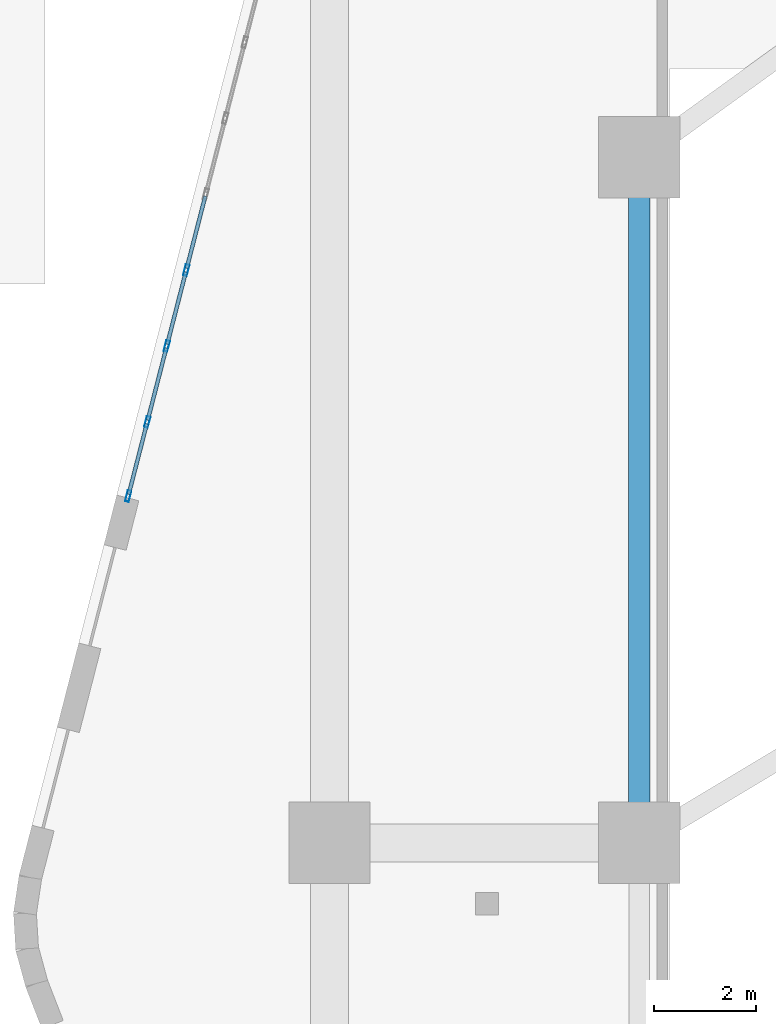
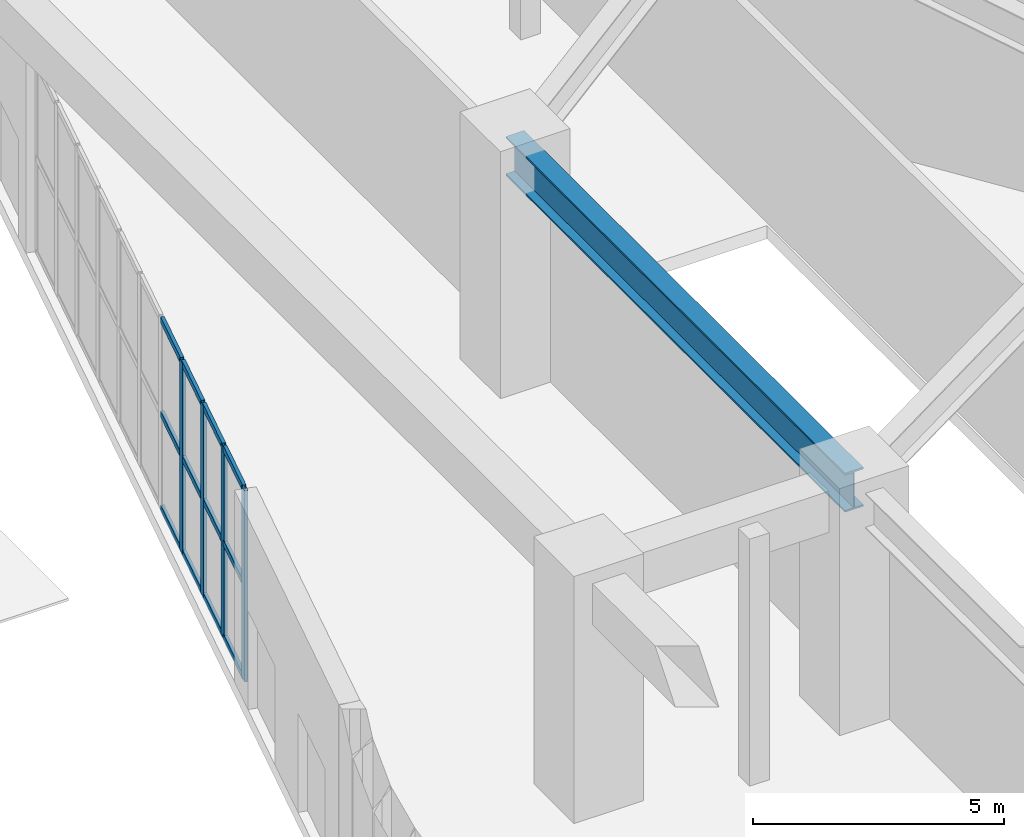
# One storey, part 13 of 35: 16 members, 1 beam, 1 element without a shape of its own.
"""IFC4 building model written with IfcOpenShell, lengths in metres."""

import ifcopenshell
import ifcopenshell.guid

model = None  # the IFC model being written
_history = None  # IfcOwnerHistory: only IFC2X3 demands one
_inside = {}  # id of a spatial element -> (the spatial element, [elements in it])
_under = {}  # id of a project, library or spatial element -> (it, [spatial elements below it])
_declared = {}  # id of a project -> (the project, [libraries it declares])
_typed = {}  # id of a type object -> (the type object, [elements of that type])
_made_of = {}  # id of a material, layer set ... -> (it, [elements and type objects made of it])


def new_model(schema):
    """Start an empty IFC model of exactly this schema.

    Asked for "IFC4X3", IfcOpenShell would pick the latest addendum, in which some entities
    have other attributes; the version numbers below select the first issue.
    IFC2X3 requires an IfcOwnerHistory on every rooted entity: one is made here for all.
    """
    global model, _history
    if schema == "IFC4X3":
        model = ifcopenshell.file(schema_version=(4, 3, 0, 0))
    else:
        model = ifcopenshell.file(schema=schema)
    _inside.clear()
    _under.clear()
    _declared.clear()
    _typed.clear()
    _made_of.clear()
    _history = None
    if model.schema == "IFC2X3":
        org = make("IfcOrganization", Name="unknown")
        user = make(
            "IfcPersonAndOrganization",
            ThePerson=make("IfcPerson", FamilyName="unknown"),
            TheOrganization=org,
        )
        app = make(
            "IfcApplication",
            ApplicationDeveloper=org,
            Version="unknown",
            ApplicationFullName="unknown",
            ApplicationIdentifier="unknown",
        )
        _history = make(
            "IfcOwnerHistory",
            OwningUser=user,
            OwningApplication=app,
            ChangeAction="ADDED",
            CreationDate=0,
        )
    return model


def make(cls, **values):
    """One entity of the class cls with the attributes given. An attribute that is None is left unset."""
    return model.create_entity(
        cls, **{name: value for name, value in values.items() if value is not None}
    )


def rooted(cls, **values):
    """An entity with a GlobalId (a new one), such as an element, a storey or a relation."""
    return make(cls, GlobalId=ifcopenshell.guid.new(), OwnerHistory=_history, **values)


def si_unit(unit_type, name, prefix=None):
    """IfcSIUnit, for example si_unit("LENGTHUNIT", "METRE", prefix="MILLI")."""
    return make("IfcSIUnit", UnitType=unit_type, Prefix=prefix, Name=name)


def assignment(units):
    """IfcUnitAssignment: the units of a project."""
    return None if units is None else make("IfcUnitAssignment", Units=units)


def point(xyz):
    """IfcCartesianPoint."""
    return None if xyz is None else make("IfcCartesianPoint", Coordinates=xyz)


def direction(xyz):
    """IfcDirection."""
    return None if xyz is None else make("IfcDirection", DirectionRatios=xyz)


def frame(location, z_axis=None, x_axis=None):
    """IfcAxis2Placement3D, a coordinate frame: its origin and axes. An axis left out is left unset."""
    return make(
        "IfcAxis2Placement3D",
        Location=point(location),
        Axis=direction(z_axis),
        RefDirection=direction(x_axis),
    )


def frame_2d(location, x_axis=None):
    """IfcAxis2Placement2D, a coordinate frame in the plane: its origin and x axis."""
    return make(
        "IfcAxis2Placement2D", Location=point(location), RefDirection=direction(x_axis)
    )


def origin():
    """The frame at (0, 0, 0) with its axes left unset."""
    return frame((0.0, 0.0, 0.0))


def origin_2d():
    """The frame at (0, 0) in the plane with its x axis left unset."""
    return frame_2d((0.0, 0.0))


def place(relative_to, where):
    """IfcLocalPlacement: puts the frame where relative to a parent placement (None: the world)."""
    return make(
        "IfcLocalPlacement", PlacementRelTo=relative_to, RelativePlacement=where
    )


def context(
    kind, dimensions, precision=None, world=None, true_north=None, identifier=None
):
    """IfcGeometricRepresentationContext, for example the 3D "Model" context."""
    return make(
        "IfcGeometricRepresentationContext",
        ContextIdentifier=identifier,
        ContextType=kind,
        CoordinateSpaceDimension=dimensions,
        Precision=precision,
        WorldCoordinateSystem=world,
        TrueNorth=true_north,
    )


def subcontext(parent, identifier, kind, view, scale=None):
    """IfcGeometricRepresentationSubContext, for example "Body" below "Model"."""
    return make(
        "IfcGeometricRepresentationSubContext",
        ContextIdentifier=identifier,
        ContextType=kind,
        ParentContext=parent,
        TargetScale=scale,
        TargetView=view,
    )


def project(units=None, contexts=None):
    """IfcProject with its units and contexts."""
    return rooted(
        "IfcProject",
        Name="project",
        RepresentationContexts=contexts,
        UnitsInContext=assignment(units),
    )


def spatial(cls, under=None, at=None, **own):
    """A site, building, storey or space (cls), placed at a placement, below another one or the project."""
    s = rooted(cls, ObjectPlacement=at, **own)
    if under is not None:
        _under.setdefault(under.id(), (under, []))[1].append(s)
    return s


def profile(cls, at=None, kind="AREA", **sizes):
    """A parametric profile (cls). Its sizes go by their IFC names, for example OverallWidth=200.0."""
    return make(cls, ProfileType=kind, Position=at, **sizes)


def hollow_rectangle(**sizes):
    """IfcRectangleHollowProfileDef."""
    return profile("IfcRectangleHollowProfileDef", **sizes)


def i_section(**sizes):
    """IfcIShapeProfileDef."""
    return profile("IfcIShapeProfileDef", **sizes)


def extrude(swept, where, along, depth):
    """IfcExtrudedAreaSolid: the profile swept, set in the frame where, extruded along a direction by depth."""
    return make(
        "IfcExtrudedAreaSolid",
        SweptArea=swept,
        Position=where,
        ExtrudedDirection=direction(along),
        Depth=depth,
    )


def shape(context_of_items, identifier, shape_type, items):
    """IfcShapeRepresentation: the items that make up one representation, for example the "Body"."""
    return make(
        "IfcShapeRepresentation",
        ContextOfItems=context_of_items,
        RepresentationIdentifier=identifier,
        RepresentationType=shape_type,
        Items=items,
    )


def material(Name=None, Category=None):
    """IfcMaterial."""
    return make("IfcMaterial", Name=Name, Category=Category)


def layer(
    of_material, thickness, ventilated=None, Name=None, Category=None, Priority=None
):
    """IfcMaterialLayer: one layer of a wall or slab, of a material (None: an air gap)."""
    return make(
        "IfcMaterialLayer",
        Material=of_material,
        LayerThickness=thickness,
        IsVentilated=ventilated,
        Name=Name,
        Category=Category,
        Priority=Priority,
    )


def layer_set(layers, Name=None):
    """IfcMaterialLayerSet."""
    return make("IfcMaterialLayerSet", MaterialLayers=layers, LayerSetName=Name)


def material_profile(
    of_material, cross_section, Name=None, Category=None, Priority=None
):
    """IfcMaterialProfile: a cross section and its material."""
    return make(
        "IfcMaterialProfile",
        Name=Name,
        Material=of_material,
        Profile=cross_section,
        Priority=Priority,
        Category=Category,
    )


def profile_set(profiles, Name=None, composite=None):
    """IfcMaterialProfileSet."""
    return make(
        "IfcMaterialProfileSet",
        Name=Name,
        MaterialProfiles=profiles,
        CompositeProfile=composite,
    )


def made_of(thing, what):
    """Note that an element or type object is made of a material, layer set ...; save() writes the relation."""
    if what is not None:
        _made_of.setdefault(what.id(), (what, []))[1].append(thing)
    return thing


def type_object(cls, material=None, **own):
    """A type object (cls), such as IfcWallType, which elements share."""
    return made_of(rooted(cls, **own), material)


def element(
    cls,
    number,
    at=None,
    inside=None,
    cuts=None,
    type_object=None,
    material=None,
    context=None,
    identifier="Body",
    shape_type=None,
    held_by="IfcProductDefinitionShape",
    body=None,
    shapes=None,
    **own,
):
    """One element of the class cls, such as IfcWall. Its Tag is "e" and its number.

    at: its placement. inside: the storey or other place that contains it. cuts: it is an
    opening in that element (IfcRelVoidsElement). A single representation is given by context,
    identifier, shape_type and body (its items); several are given by shapes. held_by: the class
    of the entity that holds the representations. save() writes the other relations.
    """
    e = rooted(cls, Tag="e%d" % number, ObjectPlacement=at, **own)
    if body is not None:
        shapes = [shape(context, identifier, shape_type, body)]
    if shapes is not None:
        e.Representation = make(held_by, Representations=shapes)
    if inside is not None:
        _inside.setdefault(inside.id(), (inside, []))[1].append(e)
    if cuts is not None:
        rooted(
            "IfcRelVoidsElement", RelatingBuildingElement=cuts, RelatedOpeningElement=e
        )
    if type_object is not None:
        _typed.setdefault(type_object.id(), (type_object, []))[1].append(e)
    return made_of(e, material)


def aggregate(whole, parts):
    """IfcRelAggregates: a whole, such as a stair, and the parts it consists of."""
    return rooted("IfcRelAggregates", RelatingObject=whole, RelatedObjects=parts)


def save(model, path):
    """Write the relations noted so far, then the file.

    IfcRelAggregates (storeys below a building ...), IfcRelContainedInSpatialStructure (elements
    in a storey), IfcRelDefinesByType, IfcRelAssociatesMaterial and IfcRelDeclares: one each for
    every whole, place, type object, material and project.
    """
    for whole, parts in _under.values():
        aggregate(whole, parts)
    for where, things in _inside.values():
        rooted(
            "IfcRelContainedInSpatialStructure",
            RelatedElements=things,
            RelatingStructure=where,
        )
    for kind, things in _typed.values():
        rooted("IfcRelDefinesByType", RelatedObjects=things, RelatingType=kind)
    for what, things in _made_of.values():
        rooted("IfcRelAssociatesMaterial", RelatedObjects=things, RelatingMaterial=what)
    for by, libraries in _declared.values():
        rooted("IfcRelDeclares", RelatingContext=by, RelatedDefinitions=libraries)
    model.write(path)


model = new_model("IFC4")

# Units and contexts
model_context = context("Model", 3, precision=1e-05, world=origin(), true_north=direction((0.0, 1.0)))
body_context = subcontext(model_context, "Body", "Model", "MODEL_VIEW")
ifc_project = project(units=[si_unit("LENGTHUNIT", "METRE"), si_unit("AREAUNIT", "SQUARE_METRE"), si_unit("VOLUMEUNIT", "CUBIC_METRE"), si_unit("PLANEANGLEUNIT", "RADIAN"), si_unit("MASSUNIT", "GRAM", prefix="KILO")], contexts=[model_context])

# Site, building, storey
site_placement = place(None, origin())
site = spatial("IfcSite", under=ifc_project, at=site_placement, CompositionType="ELEMENT")
building_placement = place(site_placement, origin())
building = spatial("IfcBuilding", under=site, at=building_placement, Name="Kilnhurst Terrace Hotel", CompositionType="ELEMENT")
storey_placement = place(building_placement, origin())
storey = spatial("IfcBuildingStorey", under=building, at=storey_placement, Name="L00", CompositionType="ELEMENT", Elevation=0.0)

# Beam
ifc_material_1 = material(Name="Steel ASTM A992 Grade 50", Category="steel")
ifc_material_profile_1 = material_profile(ifc_material_1, i_section(OverallWidth=0.423095703125, OverallDepth=0.9482421875, WebThickness=0.02392578125, FlangeThickness=0.042724609375, at=origin_2d()), Name="W36X302")
ifc_profile_set_1 = profile_set([ifc_material_profile_1], Name="Steel ASTM A992 Grade 50")
beam_type = type_object("IfcBeamType", Name="BM-STL-W36X302", PredefinedType="BEAM", material=ifc_profile_set_1)
beam_placement = place(storey_placement, frame((-21.5, 0.0, 5.2060546875), z_axis=(0.0, 1.0, 0.0), x_axis=(-1.0, 0.0, 0.0)))
element("IfcBeam", 1, at=beam_placement, inside=storey, type_object=beam_type, Name="L00 Podium Frame Beam 2", PredefinedType="BEAM", context=body_context, shape_type="SweptSolid", body=[
    extrude(i_section(OverallWidth=0.423095703125, OverallDepth=0.9482421875, WebThickness=0.02392578125, FlangeThickness=0.042724609375, at=origin_2d()), origin(), (0.0, 0.0, 1.0), 13.5),
])

# Curtain wall, members
ifc_material_2 = material(Name="Anodized Aluminium Alloy 6063-T6 and Low-E Glass", Category="aluminium")
ifc_layer = layer(ifc_material_2, 0.219970703125, Name="Anodized Aluminium Alloy 6063-T6 and Low-E Glass")
ifc_layer_set = layer_set([ifc_layer], Name="Anodized Aluminium Alloy 6063-T6 and Low-E Glass")
curtain_wall_type = type_object("IfcCurtainWallType", Name="CW-POD-LOBBY", PredefinedType="NOTDEFINED", material=ifc_layer_set)
curtain_wall_placement = place(storey_placement, origin())
curtain_wall = element("IfcCurtainWall", 2, at=curtain_wall_placement, inside=storey, type_object=curtain_wall_type, Name="L00 Curtain Wall CW-L00-F5-1", PredefinedType="NOTDEFINED")
ifc_material_3 = material(Name="Extruded Aluminium Alloy 6063-T6", Category="aluminium")
ifc_material_profile_2 = material_profile(ifc_material_3, hollow_rectangle(XDim=0.074951171875, YDim=0.219970703125, WallThickness=0.00390625, at=origin_2d()), Name="CWM75X220")
ifc_profile_set_2 = profile_set([ifc_material_profile_2], Name="Extruded Aluminium Alloy 6063-T6")
member_type_1 = type_object("IfcMemberType", Name="MEM-CWM75X220", PredefinedType="MULLION", material=ifc_profile_set_2)
member_1_placement = place(storey_placement, frame((-30.420166015625, 11.275146484375, 0.0), z_axis=(0.0, 0.0, 1.0), x_axis=(0.968570392874, -0.248739610933, 0.0)))
member_1 = element("IfcMember", 3, at=member_1_placement, type_object=member_type_1, Name="CWL-1 mullion 8", PredefinedType="MULLION", context=body_context, shape_type="SweptSolid", body=[
    extrude(hollow_rectangle(XDim=0.074951171875, YDim=0.219970703125, WallThickness=0.00390625, at=origin_2d()), origin(), (0.0, 0.0, 1.0), 4.64990234375),
])
member_2_placement = place(storey_placement, frame((-30.80419921875, 9.7802734375, 0.0), z_axis=(0.0, 0.0, 1.0), x_axis=(0.968570392874, -0.248739610933, 0.0)))
member_2 = element("IfcMember", 4, at=member_2_placement, type_object=member_type_1, Name="CWL-1 mullion 9", PredefinedType="MULLION", context=body_context, shape_type="SweptSolid", body=[
    extrude(hollow_rectangle(XDim=0.074951171875, YDim=0.219970703125, WallThickness=0.00390625, at=origin_2d()), origin(), (0.0, 0.0, 1.0), 4.64990234375),
])
member_3_placement = place(storey_placement, frame((-31.18798828125, 8.28515625, 0.0), z_axis=(0.0, 0.0, 1.0), x_axis=(0.968570392874, -0.248739610933, 0.0)))
member_3 = element("IfcMember", 5, at=member_3_placement, type_object=member_type_1, Name="CWL-1 mullion 10", PredefinedType="MULLION", context=body_context, shape_type="SweptSolid", body=[
    extrude(hollow_rectangle(XDim=0.074951171875, YDim=0.219970703125, WallThickness=0.00390625, at=origin_2d()), origin(), (0.0, 0.0, 1.0), 4.64990234375),
])
member_4_placement = place(storey_placement, frame((-31.562744140625, 6.826416015625, 0.0), z_axis=(0.0, 0.0, 1.0), x_axis=(0.968570392874, -0.248739610933, 0.0)))
member_4 = element("IfcMember", 6, at=member_4_placement, type_object=member_type_1, Name="CWL-1 mullion 11", PredefinedType="MULLION", context=body_context, shape_type="SweptSolid", body=[
    extrude(hollow_rectangle(XDim=0.074951171875, YDim=0.219970703125, WallThickness=0.00390625, at=origin_2d()), origin(), (0.0, 0.0, 1.0), 4.64990234375),
])
ifc_material_profile_3 = material_profile(ifc_material_3, hollow_rectangle(XDim=0.074951171875, YDim=0.14990234375, WallThickness=0.00390625, at=origin_2d()), Name="CWT75X150")
ifc_profile_set_3 = profile_set([ifc_material_profile_3], Name="Extruded Aluminium Alloy 6063-T6")
member_type_2 = type_object("IfcMemberType", Name="MEM-CWT75X150", PredefinedType="USERDEFINED", material=ifc_profile_set_3)
member_5_placement = place(storey_placement, frame((-30.045654296875, 12.73388671875, 0.03759765625), z_axis=(-0.24871132416, -0.968577656791, 0.0), x_axis=(0.968577656791, -0.24871132416, 0.0)))
member_5 = element("IfcMember", 7, at=member_5_placement, type_object=member_type_2, Name="CWL-1 transom 7.1", ObjectType="TRANSOM", PredefinedType="USERDEFINED", context=body_context, shape_type="SweptSolid", body=[
    extrude(hollow_rectangle(XDim=0.074951171875, YDim=0.14990234375, WallThickness=0.00390625, at=origin_2d()), origin(), (0.0, 0.0, 1.0), 1.468505859375),
])
member_6_placement = place(storey_placement, frame((-30.045654296875, 12.73388671875, 2.324951171875), z_axis=(-0.24871132416, -0.968577656791, 0.0), x_axis=(0.968577656791, -0.24871132416, 0.0)))
member_6 = element("IfcMember", 8, at=member_6_placement, type_object=member_type_2, Name="CWL-1 transom 7.2", ObjectType="TRANSOM", PredefinedType="USERDEFINED", context=body_context, shape_type="SweptSolid", body=[
    extrude(hollow_rectangle(XDim=0.074951171875, YDim=0.14990234375, WallThickness=0.00390625, at=origin_2d()), origin(), (0.0, 0.0, 1.0), 1.468505859375),
])
member_7_placement = place(storey_placement, frame((-30.045654296875, 12.73388671875, 4.612548828125), z_axis=(-0.24871132416, -0.968577656791, 0.0), x_axis=(0.968577656791, -0.24871132416, 0.0)))
member_7 = element("IfcMember", 9, at=member_7_placement, type_object=member_type_2, Name="CWL-1 transom 7.3", ObjectType="TRANSOM", PredefinedType="USERDEFINED", context=body_context, shape_type="SweptSolid", body=[
    extrude(hollow_rectangle(XDim=0.074951171875, YDim=0.14990234375, WallThickness=0.00390625, at=origin_2d()), origin(), (0.0, 0.0, 1.0), 1.468505859375),
])
member_8_placement = place(storey_placement, frame((-30.429443359375, 11.23876953125, 0.03759765625), z_axis=(-0.248867281536, -0.968537596679, 0.0), x_axis=(0.968537596679, -0.248867281536, 0.0)))
member_8 = element("IfcMember", 10, at=member_8_placement, type_object=member_type_2, Name="CWL-1 transom 8.1", ObjectType="TRANSOM", PredefinedType="USERDEFINED", context=body_context, shape_type="SweptSolid", body=[
    extrude(hollow_rectangle(XDim=0.074951171875, YDim=0.14990234375, WallThickness=0.00390625, at=origin_2d()), origin(), (0.0, 0.0, 1.0), 1.468505859375),
])
member_9_placement = place(storey_placement, frame((-30.429443359375, 11.23876953125, 2.324951171875), z_axis=(-0.248867281536, -0.968537596679, 0.0), x_axis=(0.968537596679, -0.248867281536, 0.0)))
member_9 = element("IfcMember", 11, at=member_9_placement, type_object=member_type_2, Name="CWL-1 transom 8.2", ObjectType="TRANSOM", PredefinedType="USERDEFINED", context=body_context, shape_type="SweptSolid", body=[
    extrude(hollow_rectangle(XDim=0.074951171875, YDim=0.14990234375, WallThickness=0.00390625, at=origin_2d()), origin(), (0.0, 0.0, 1.0), 1.468505859375),
])
member_10_placement = place(storey_placement, frame((-30.429443359375, 11.23876953125, 4.612548828125), z_axis=(-0.248867281536, -0.968537596679, 0.0), x_axis=(0.968537596679, -0.248867281536, 0.0)))
member_10 = element("IfcMember", 12, at=member_10_placement, type_object=member_type_2, Name="CWL-1 transom 8.3", ObjectType="TRANSOM", PredefinedType="USERDEFINED", context=body_context, shape_type="SweptSolid", body=[
    extrude(hollow_rectangle(XDim=0.074951171875, YDim=0.14990234375, WallThickness=0.00390625, at=origin_2d()), origin(), (0.0, 0.0, 1.0), 1.468505859375),
])
member_11_placement = place(storey_placement, frame((-30.8134765625, 9.743896484375, 0.03759765625), z_axis=(-0.24871132416, -0.968577656791, 0.0), x_axis=(0.968577656791, -0.24871132416, 0.0)))
member_11 = element("IfcMember", 13, at=member_11_placement, type_object=member_type_2, Name="CWL-1 transom 9.1", ObjectType="TRANSOM", PredefinedType="USERDEFINED", context=body_context, shape_type="SweptSolid", body=[
    extrude(hollow_rectangle(XDim=0.074951171875, YDim=0.14990234375, WallThickness=0.00390625, at=origin_2d()), origin(), (0.0, 0.0, 1.0), 1.468505859375),
])
member_12_placement = place(storey_placement, frame((-30.8134765625, 9.743896484375, 2.324951171875), z_axis=(-0.24871132416, -0.968577656791, 0.0), x_axis=(0.968577656791, -0.24871132416, 0.0)))
member_12 = element("IfcMember", 14, at=member_12_placement, type_object=member_type_2, Name="CWL-1 transom 9.2", ObjectType="TRANSOM", PredefinedType="USERDEFINED", context=body_context, shape_type="SweptSolid", body=[
    extrude(hollow_rectangle(XDim=0.074951171875, YDim=0.14990234375, WallThickness=0.00390625, at=origin_2d()), origin(), (0.0, 0.0, 1.0), 1.468505859375),
])
member_13_placement = place(storey_placement, frame((-30.8134765625, 9.743896484375, 4.612548828125), z_axis=(-0.24871132416, -0.968577656791, 0.0), x_axis=(0.968577656791, -0.24871132416, 0.0)))
member_13 = element("IfcMember", 15, at=member_13_placement, type_object=member_type_2, Name="CWL-1 transom 9.3", ObjectType="TRANSOM", PredefinedType="USERDEFINED", context=body_context, shape_type="SweptSolid", body=[
    extrude(hollow_rectangle(XDim=0.074951171875, YDim=0.14990234375, WallThickness=0.00390625, at=origin_2d()), origin(), (0.0, 0.0, 1.0), 1.468505859375),
])
member_14_placement = place(storey_placement, frame((-31.197509765625, 8.248779296875, 0.03759765625), z_axis=(-0.248592907807, -0.968608056021, 0.0), x_axis=(0.968608056021, -0.248592907807, 0.0)))
member_14 = element("IfcMember", 16, at=member_14_placement, type_object=member_type_2, Name="CWL-1 transom 10.1", ObjectType="TRANSOM", PredefinedType="USERDEFINED", context=body_context, shape_type="SweptSolid", body=[
    extrude(hollow_rectangle(XDim=0.074951171875, YDim=0.14990234375, WallThickness=0.00390625, at=origin_2d()), origin(), (0.0, 0.0, 1.0), 1.430908203125),
])
member_15_placement = place(storey_placement, frame((-31.197509765625, 8.248779296875, 2.324951171875), z_axis=(-0.248592907807, -0.968608056021, 0.0), x_axis=(0.968608056021, -0.248592907807, 0.0)))
member_15 = element("IfcMember", 17, at=member_15_placement, type_object=member_type_2, Name="CWL-1 transom 10.2", ObjectType="TRANSOM", PredefinedType="USERDEFINED", context=body_context, shape_type="SweptSolid", body=[
    extrude(hollow_rectangle(XDim=0.074951171875, YDim=0.14990234375, WallThickness=0.00390625, at=origin_2d()), origin(), (0.0, 0.0, 1.0), 1.430908203125),
])
member_16_placement = place(storey_placement, frame((-31.197509765625, 8.248779296875, 4.612548828125), z_axis=(-0.248592907807, -0.968608056021, 0.0), x_axis=(0.968608056021, -0.248592907807, 0.0)))
member_16 = element("IfcMember", 18, at=member_16_placement, type_object=member_type_2, Name="CWL-1 transom 10.3", ObjectType="TRANSOM", PredefinedType="USERDEFINED", context=body_context, shape_type="SweptSolid", body=[
    extrude(hollow_rectangle(XDim=0.074951171875, YDim=0.14990234375, WallThickness=0.00390625, at=origin_2d()), origin(), (0.0, 0.0, 1.0), 1.430908203125),
])
aggregate(curtain_wall, [member_1, member_2, member_3, member_4, member_5, member_6, member_7, member_8, member_9, member_10, member_11, member_12, member_13, member_14, member_15, member_16])

save(model, "model.ifc")
